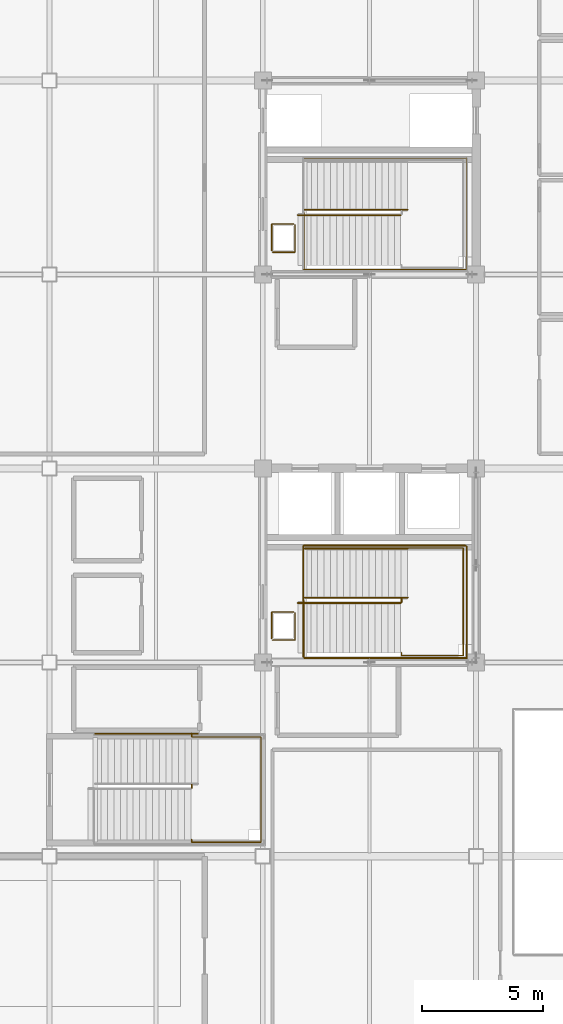
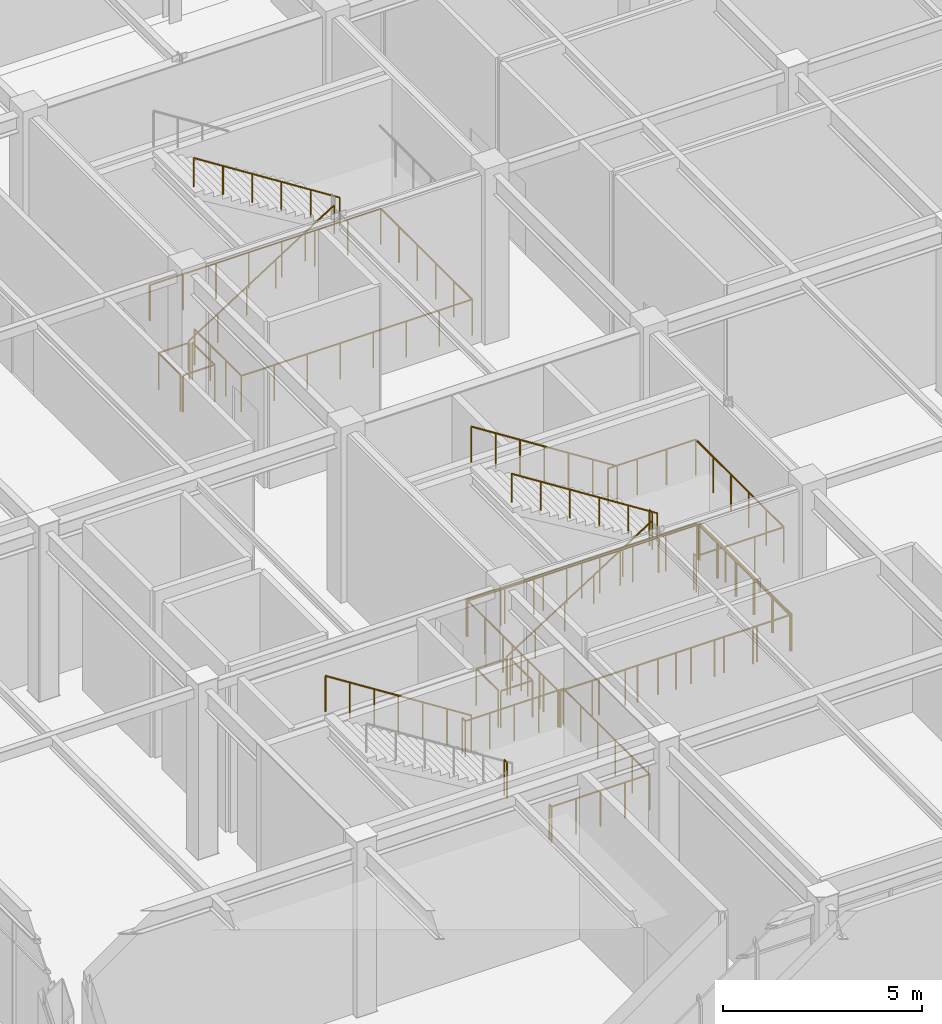
# One storey, part 173 of 184: 18 railings.
"""IFC4 building model written with IfcOpenShell, lengths in metres."""

from ifc_helpers import new_model, si_unit, direction, frame, origin, origin_2d, place, context, subcontext, project, spatial, circle, extrude, material, type_object, element, save


model = new_model("IFC4")

# Units and contexts
model_context = context("Model", 3, precision=1e-05, world=origin(), true_north=direction((0.0, 1.0)))
body_context = subcontext(model_context, "Body", "Model", "MODEL_VIEW")
ifc_project = project(units=[si_unit("LENGTHUNIT", "METRE"), si_unit("AREAUNIT", "SQUARE_METRE"), si_unit("VOLUMEUNIT", "CUBIC_METRE"), si_unit("PLANEANGLEUNIT", "RADIAN"), si_unit("MASSUNIT", "GRAM", prefix="KILO")], contexts=[model_context])

# Site, building, storey
site_placement = place(None, origin())
site = spatial("IfcSite", under=ifc_project, at=site_placement, CompositionType="ELEMENT")
building_placement = place(site_placement, origin())
building = spatial("IfcBuilding", under=site, at=building_placement, Name="Zhaolan Boulevard Law Courts", CompositionType="ELEMENT")
storey_placement = place(building_placement, frame((0.0, 0.0, 5.39990234375)))
storey = spatial("IfcBuildingStorey", under=building, at=storey_placement, Name="L01", CompositionType="ELEMENT", Elevation=5.39990234375)

# Railings
ifc_material_1 = material(Name="Powder-coated steel and tempered laminated glass", Category="steel")
railing_type_1 = type_object("IfcRailingType", Name="INTERIOR GUARDRAIL 1150", PredefinedType="GUARDRAIL", material=ifc_material_1)
railing_1_placement = place(storey_placement, frame((19.31005859375, 46.169921875, 0.0)))
element("IfcRailing", 1, at=railing_1_placement, inside=storey, type_object=railing_type_1, Name="Atrium Gallery Guardrail VG-1-V5-6A", PredefinedType="GUARDRAIL", context=body_context, shape_type="SweptSolid", body=[
    extrude(circle(Radius=0.02490234375, at=origin_2d()), frame((0.0, 0.0, 1.125), z_axis=(1.0, 0.0, 0.0), x_axis=(0.0, 1.0, 0.0)), (0.0, 0.0, 1.0), 6.719970703125),
    extrude(circle(Radius=0.02490234375, at=origin_2d()), frame((6.719970703125, 0.0, 1.125), z_axis=(0.0, 1.0, 0.0), x_axis=(-1.0, 0.0, 0.0)), (0.0, 0.0, 1.0), 4.6201171875),
    extrude(circle(Radius=0.02099609375, at=origin_2d()), origin(), (0.0, 0.0, 1.0), 1.099853515625),
    extrude(circle(Radius=0.02099609375, at=origin_2d()), frame((1.1201171875, 0.0, 0.0)), (0.0, 0.0, 1.0), 1.099853515625),
    extrude(circle(Radius=0.02099609375, at=origin_2d()), frame((2.239990234375, 0.0, 0.0)), (0.0, 0.0, 1.0), 1.099853515625),
    extrude(circle(Radius=0.02099609375, at=origin_2d()), frame((3.35986328125, 0.0, 0.0)), (0.0, 0.0, 1.0), 1.099853515625),
    extrude(circle(Radius=0.02099609375, at=origin_2d()), frame((4.47998046875, 0.0, 0.0)), (0.0, 0.0, 1.0), 1.099853515625),
    extrude(circle(Radius=0.02099609375, at=origin_2d()), frame((5.60009765625, 0.0, 0.0)), (0.0, 0.0, 1.0), 1.099853515625),
    extrude(circle(Radius=0.02099609375, at=origin_2d()), frame((6.719970703125, 0.0, 0.0)), (0.0, 0.0, 1.0), 1.099853515625),
    extrude(circle(Radius=0.02099609375, at=origin_2d()), frame((6.719970703125, 0.924072265625, 0.0)), (0.0, 0.0, 1.0), 1.099853515625),
    extrude(circle(Radius=0.02099609375, at=origin_2d()), frame((6.719970703125, 1.84814453125, 0.0)), (0.0, 0.0, 1.0), 1.099853515625),
    extrude(circle(Radius=0.02099609375, at=origin_2d()), frame((6.719970703125, 2.77197265625, 0.0)), (0.0, 0.0, 1.0), 1.099853515625),
    extrude(circle(Radius=0.02099609375, at=origin_2d()), frame((6.719970703125, 3.696044921875, 0.0)), (0.0, 0.0, 1.0), 1.099853515625),
    extrude(circle(Radius=0.02099609375, at=origin_2d()), frame((6.719970703125, 4.6201171875, 0.0)), (0.0, 0.0, 1.0), 1.099853515625),
])
railing_2_placement = place(storey_placement, frame((25.969970703125, 50.830078125, 0.0)))
element("IfcRailing", 2, at=railing_2_placement, inside=storey, type_object=railing_type_1, Name="Atrium Gallery Guardrail VG-1-V5-6B", PredefinedType="GUARDRAIL", context=body_context, shape_type="SweptSolid", body=[
    extrude(circle(Radius=0.02490234375, at=origin_2d()), frame((0.0, 0.0, 1.125), z_axis=(-1.0, 0.0, 0.0), x_axis=(0.0, -1.0, 0.0)), (0.0, 0.0, 1.0), 6.699951171875),
    extrude(circle(Radius=0.02490234375, at=origin_2d()), frame((-6.699951171875, 0.0, 1.125), z_axis=(0.0, -1.0, 0.0), x_axis=(1.0, 0.0, 0.0)), (0.0, 0.0, 1.0), 4.60009765625),
    extrude(circle(Radius=0.02099609375, at=origin_2d()), origin(), (0.0, 0.0, 1.0), 1.099853515625),
    extrude(circle(Radius=0.02099609375, at=origin_2d()), frame((-1.11669921875, 0.0, 0.0)), (0.0, 0.0, 1.0), 1.099853515625),
    extrude(circle(Radius=0.02099609375, at=origin_2d()), frame((-2.2333984375, 0.0, 0.0)), (0.0, 0.0, 1.0), 1.099853515625),
    extrude(circle(Radius=0.02099609375, at=origin_2d()), frame((-3.35009765625, 0.0, 0.0)), (0.0, 0.0, 1.0), 1.099853515625),
    extrude(circle(Radius=0.02099609375, at=origin_2d()), frame((-4.466552734375, 0.0, 0.0)), (0.0, 0.0, 1.0), 1.099853515625),
    extrude(circle(Radius=0.02099609375, at=origin_2d()), frame((-5.583251953125, 0.0, 0.0)), (0.0, 0.0, 1.0), 1.099853515625),
    extrude(circle(Radius=0.02099609375, at=origin_2d()), frame((-6.699951171875, 0.0, 0.0)), (0.0, 0.0, 1.0), 1.099853515625),
    extrude(circle(Radius=0.02099609375, at=origin_2d()), frame((-6.699951171875, -0.919921875, 0.0)), (0.0, 0.0, 1.0), 1.099853515625),
    extrude(circle(Radius=0.02099609375, at=origin_2d()), frame((-6.699951171875, -1.840087890625, 0.0)), (0.0, 0.0, 1.0), 1.099853515625),
    extrude(circle(Radius=0.02099609375, at=origin_2d()), frame((-6.699951171875, -2.760009765625, 0.0)), (0.0, 0.0, 1.0), 1.099853515625),
    extrude(circle(Radius=0.02099609375, at=origin_2d()), frame((-6.699951171875, -3.68017578125, 0.0)), (0.0, 0.0, 1.0), 1.099853515625),
    extrude(circle(Radius=0.02099609375, at=origin_2d()), frame((-6.699951171875, -4.60009765625, 0.0)), (0.0, 0.0, 1.0), 1.099853515625),
])
railing_3_placement = place(storey_placement, frame((18.010009765625, 46.919921875, 0.0)))
element("IfcRailing", 3, at=railing_3_placement, inside=storey, type_object=railing_type_1, Name="Atrium Gallery Guardrail VG-1-V5-9A", PredefinedType="GUARDRAIL", context=body_context, shape_type="SweptSolid", body=[
    extrude(circle(Radius=0.02490234375, at=origin_2d()), frame((0.0, 0.0, 1.125), z_axis=(1.0, 0.0, 0.0), x_axis=(0.0, 1.0, 0.0)), (0.0, 0.0, 1.0), 0.919921875),
    extrude(circle(Radius=0.02490234375, at=origin_2d()), frame((0.919921875, 0.0, 1.125), z_axis=(0.0, 1.0, 0.0), x_axis=(-1.0, 0.0, 0.0)), (0.0, 0.0, 1.0), 1.1201171875),
    extrude(circle(Radius=0.02099609375, at=origin_2d()), origin(), (0.0, 0.0, 1.0), 1.099853515625),
    extrude(circle(Radius=0.02099609375, at=origin_2d()), frame((0.919921875, 0.0, 0.0)), (0.0, 0.0, 1.0), 1.099853515625),
    extrude(circle(Radius=0.02099609375, at=origin_2d()), frame((0.919921875, 1.1201171875, 0.0)), (0.0, 0.0, 1.0), 1.099853515625),
])
railing_4_placement = place(storey_placement, frame((18.8701171875, 48.080078125, 0.0)))
element("IfcRailing", 4, at=railing_4_placement, inside=storey, type_object=railing_type_1, Name="Atrium Gallery Guardrail VG-1-V5-9B", PredefinedType="GUARDRAIL", context=body_context, shape_type="SweptSolid", body=[
    extrude(circle(Radius=0.02490234375, at=origin_2d()), frame((0.0, 0.0, 1.125), z_axis=(-1.0, 0.0, 0.0), x_axis=(0.0, -1.0, 0.0)), (0.0, 0.0, 1.0), 0.900146484375),
    extrude(circle(Radius=0.02490234375, at=origin_2d()), frame((-0.900146484375, 0.0, 1.125), z_axis=(0.0, -1.0, 0.0), x_axis=(1.0, 0.0, 0.0)), (0.0, 0.0, 1.0), 1.10009765625),
    extrude(circle(Radius=0.02099609375, at=origin_2d()), origin(), (0.0, 0.0, 1.0), 1.099853515625),
    extrude(circle(Radius=0.02099609375, at=origin_2d()), frame((-0.900146484375, 0.0, 0.0)), (0.0, 0.0, 1.0), 1.099853515625),
    extrude(circle(Radius=0.02099609375, at=origin_2d()), frame((-0.900146484375, -1.10009765625, 0.0)), (0.0, 0.0, 1.0), 1.099853515625),
])
railing_5_placement = place(storey_placement, frame((18.010009765625, 62.919921875, 0.0)))
element("IfcRailing", 5, at=railing_5_placement, inside=storey, type_object=railing_type_1, Name="Atrium Gallery Guardrail VG-1-V5-10A", PredefinedType="GUARDRAIL", context=body_context, shape_type="SweptSolid", body=[
    extrude(circle(Radius=0.02490234375, at=origin_2d()), frame((0.0, 0.0, 1.125), z_axis=(1.0, 0.0, 0.0), x_axis=(0.0, 1.0, 0.0)), (0.0, 0.0, 1.0), 0.919921875),
    extrude(circle(Radius=0.02490234375, at=origin_2d()), frame((0.919921875, 0.0, 1.125), z_axis=(0.0, 1.0, 0.0), x_axis=(-1.0, 0.0, 0.0)), (0.0, 0.0, 1.0), 1.1201171875),
    extrude(circle(Radius=0.02099609375, at=origin_2d()), origin(), (0.0, 0.0, 1.0), 1.099853515625),
    extrude(circle(Radius=0.02099609375, at=origin_2d()), frame((0.919921875, 0.0, 0.0)), (0.0, 0.0, 1.0), 1.099853515625),
    extrude(circle(Radius=0.02099609375, at=origin_2d()), frame((0.919921875, 1.1201171875, 0.0)), (0.0, 0.0, 1.0), 1.099853515625),
])
railing_6_placement = place(storey_placement, frame((18.8701171875, 64.080078125, 0.0)))
element("IfcRailing", 6, at=railing_6_placement, inside=storey, type_object=railing_type_1, Name="Atrium Gallery Guardrail VG-1-V5-10B", PredefinedType="GUARDRAIL", context=body_context, shape_type="SweptSolid", body=[
    extrude(circle(Radius=0.02490234375, at=origin_2d()), frame((0.0, 0.0, 1.125), z_axis=(-1.0, 0.0, 0.0), x_axis=(0.0, -1.0, 0.0)), (0.0, 0.0, 1.0), 0.900146484375),
    extrude(circle(Radius=0.02490234375, at=origin_2d()), frame((-0.900146484375, 0.0, 1.125), z_axis=(0.0, -1.0, 0.0), x_axis=(1.0, 0.0, 0.0)), (0.0, 0.0, 1.0), 1.10009765625),
    extrude(circle(Radius=0.02099609375, at=origin_2d()), origin(), (0.0, 0.0, 1.0), 1.099853515625),
    extrude(circle(Radius=0.02099609375, at=origin_2d()), frame((-0.900146484375, 0.0, 0.0)), (0.0, 0.0, 1.0), 1.099853515625),
    extrude(circle(Radius=0.02099609375, at=origin_2d()), frame((-0.900146484375, -1.10009765625, 0.0)), (0.0, 0.0, 1.0), 1.099853515625),
])
ifc_material_2 = material(Name="Brushed stainless steel tubular handrail", Category="steel")
railing_type_2 = type_object("IfcRailingType", Name="STAIR HANDRAIL 900", PredefinedType="HANDRAIL", material=ifc_material_2)
railing_7_placement = place(storey_placement, frame((19.050048828125, 48.449951171875, 0.0)))
element("IfcRailing", 7, at=railing_7_placement, inside=storey, type_object=railing_type_2, Name="Stair Handrail HR-ST01-L01-1", PredefinedType="HANDRAIL", context=body_context, shape_type="SweptSolid", body=[
    extrude(circle(Radius=0.0224609375, at=origin_2d()), frame((0.0, 0.0, 0.87744140625), z_axis=(0.843479452326, 0.0, 0.53716144082), x_axis=(0.0, 1.0, 0.0)), (0.0, 0.0, 1.0), 5.02685546875),
    extrude(circle(Radius=0.01904296875, at=origin_2d()), origin(), (0.0, 0.0, 1.0), 0.85498046875),
    extrude(circle(Radius=0.01904296875, at=origin_2d()), frame((0.847900390625, 0.0, 0.5400390625)), (0.0, 0.0, 1.0), 0.85498046875),
    extrude(circle(Radius=0.01904296875, at=origin_2d()), frame((1.696044921875, 0.0, 1.080078125)), (0.0, 0.0, 1.0), 0.85498046875),
    extrude(circle(Radius=0.01904296875, at=origin_2d()), frame((2.5439453125, 0.0, 1.6201171875)), (0.0, 0.0, 1.0), 0.85498046875),
    extrude(circle(Radius=0.01904296875, at=origin_2d()), frame((3.39208984375, 0.0, 2.16015625)), (0.0, 0.0, 1.0), 0.85498046875),
    extrude(circle(Radius=0.01904296875, at=origin_2d()), frame((4.239990234375, 0.0, 2.7001953125)), (0.0, 0.0, 1.0), 0.85498046875),
])
railing_8_placement = place(storey_placement, frame((23.574951171875, 48.669921875, 2.7001953125)))
element("IfcRailing", 8, at=railing_8_placement, inside=storey, type_object=railing_type_2, Name="Stair Handrail HR-ST01-L01-2", PredefinedType="HANDRAIL", context=body_context, shape_type="SweptSolid", body=[
    extrude(circle(Radius=0.0224609375, at=origin_2d()), frame((0.0, 0.0, 0.87744140625), z_axis=(-0.843501457581, 0.0, 0.537126885437), x_axis=(0.0, -1.0, 0.0)), (0.0, 0.0, 1.0), 5.026611328125),
    extrude(circle(Radius=0.01904296875, at=origin_2d()), origin(), (0.0, 0.0, 1.0), 0.85498046875),
    extrude(circle(Radius=0.01904296875, at=origin_2d()), frame((-0.847900390625, 0.0, 0.5400390625)), (0.0, 0.0, 1.0), 0.85498046875),
    extrude(circle(Radius=0.01904296875, at=origin_2d()), frame((-1.696044921875, 0.0, 1.080078125)), (0.0, 0.0, 1.0), 0.85498046875),
    extrude(circle(Radius=0.01904296875, at=origin_2d()), frame((-2.5439453125, 0.0, 1.619873046875)), (0.0, 0.0, 1.0), 0.85498046875),
    extrude(circle(Radius=0.01904296875, at=origin_2d()), frame((-3.39208984375, 0.0, 2.159912109375)), (0.0, 0.0, 1.0), 0.85498046875),
    extrude(circle(Radius=0.01904296875, at=origin_2d()), frame((-4.239990234375, 0.0, 2.699951171875)), (0.0, 0.0, 1.0), 0.85498046875),
])
railing_9_placement = place(storey_placement, frame((19.050048828125, 64.449951171875, 0.0)))
element("IfcRailing", 9, at=railing_9_placement, inside=storey, type_object=railing_type_2, Name="Stair Handrail HR-ST02-L01-1", PredefinedType="HANDRAIL", context=body_context, shape_type="SweptSolid", body=[
    extrude(circle(Radius=0.0224609375, at=origin_2d()), frame((0.0, 0.0, 0.87744140625), z_axis=(0.843479452326, 0.0, 0.53716144082), x_axis=(0.0, 1.0, 0.0)), (0.0, 0.0, 1.0), 5.02685546875),
    extrude(circle(Radius=0.01904296875, at=origin_2d()), origin(), (0.0, 0.0, 1.0), 0.85498046875),
    extrude(circle(Radius=0.01904296875, at=origin_2d()), frame((0.847900390625, 0.0, 0.5400390625)), (0.0, 0.0, 1.0), 0.85498046875),
    extrude(circle(Radius=0.01904296875, at=origin_2d()), frame((1.696044921875, 0.0, 1.080078125)), (0.0, 0.0, 1.0), 0.85498046875),
    extrude(circle(Radius=0.01904296875, at=origin_2d()), frame((2.5439453125, 0.0, 1.6201171875)), (0.0, 0.0, 1.0), 0.85498046875),
    extrude(circle(Radius=0.01904296875, at=origin_2d()), frame((3.39208984375, 0.0, 2.16015625)), (0.0, 0.0, 1.0), 0.85498046875),
    extrude(circle(Radius=0.01904296875, at=origin_2d()), frame((4.239990234375, 0.0, 2.7001953125)), (0.0, 0.0, 1.0), 0.85498046875),
])
railing_10_placement = place(storey_placement, frame((23.574951171875, 64.669921875, 2.7001953125)))
element("IfcRailing", 10, at=railing_10_placement, inside=storey, type_object=railing_type_2, Name="Stair Handrail HR-ST02-L01-2", PredefinedType="HANDRAIL", context=body_context, shape_type="SweptSolid", body=[
    extrude(circle(Radius=0.0224609375, at=origin_2d()), frame((0.0, 0.0, 0.87744140625), z_axis=(-0.843501457581, 0.0, 0.537126885437), x_axis=(0.0, -1.0, 0.0)), (0.0, 0.0, 1.0), 5.026611328125),
    extrude(circle(Radius=0.01904296875, at=origin_2d()), origin(), (0.0, 0.0, 1.0), 0.85498046875),
    extrude(circle(Radius=0.01904296875, at=origin_2d()), frame((-0.847900390625, 0.0, 0.5400390625)), (0.0, 0.0, 1.0), 0.85498046875),
    extrude(circle(Radius=0.01904296875, at=origin_2d()), frame((-1.696044921875, 0.0, 1.080078125)), (0.0, 0.0, 1.0), 0.85498046875),
    extrude(circle(Radius=0.01904296875, at=origin_2d()), frame((-2.5439453125, 0.0, 1.619873046875)), (0.0, 0.0, 1.0), 0.85498046875),
    extrude(circle(Radius=0.01904296875, at=origin_2d()), frame((-3.39208984375, 0.0, 2.159912109375)), (0.0, 0.0, 1.0), 0.85498046875),
    extrude(circle(Radius=0.01904296875, at=origin_2d()), frame((-4.239990234375, 0.0, 2.699951171875)), (0.0, 0.0, 1.0), 0.85498046875),
])
ifc_material_3 = material(Name="Powder-coated steel baluster guardrail", Category="steel")
railing_type_3 = type_object("IfcRailingType", Name="STAIR WELL GUARDRAIL 1120", PredefinedType="GUARDRAIL", material=ifc_material_3)
railing_11_placement = place(storey_placement, frame((19.2900390625, 48.56005859375, 0.0)))
element("IfcRailing", 11, at=railing_11_placement, inside=storey, type_object=railing_type_3, Name="Stair-Well Floor Guardrail WG-ST01-L00", PredefinedType="GUARDRAIL", context=body_context, shape_type="SweptSolid", body=[
    extrude(circle(Radius=0.02392578125, at=origin_2d()), frame((0.0, 0.0, 1.09619140625), z_axis=(0.0, -1.0, 0.0), x_axis=(1.0, 0.0, 0.0)), (0.0, 0.0, 1.0), 2.360107421875),
    extrude(circle(Radius=0.02392578125, at=origin_2d()), frame((0.0, -2.360107421875, 1.09619140625), z_axis=(1.0, 0.0, 0.0), x_axis=(0.0, 1.0, 0.0)), (0.0, 0.0, 1.0), 6.7099609375),
    extrude(circle(Radius=0.02392578125, at=origin_2d()), frame((6.7099609375, -2.360107421875, 1.09619140625), z_axis=(0.0, 1.0, 0.0), x_axis=(-1.0, 0.0, 0.0)), (0.0, 0.0, 1.0), 4.60009765625),
    extrude(circle(Radius=0.02392578125, at=origin_2d()), frame((6.7099609375, 2.239990234375, 1.09619140625), z_axis=(-1.0, 0.0, 0.0), x_axis=(0.0, -1.0, 0.0)), (0.0, 0.0, 1.0), 6.7099609375),
    extrude(circle(Radius=0.02392578125, at=origin_2d()), frame((0.0, 2.239990234375, 1.09619140625), z_axis=(0.0, 1.0, 0.0), x_axis=(-1.0, 0.0, 0.0)), (0.0, 0.0, 1.0), 0.02001953125),
    extrude(circle(Radius=0.02099609375, at=origin_2d()), origin(), (0.0, 0.0, 1.0), 1.072021484375),
    extrude(circle(Radius=0.02099609375, at=origin_2d()), frame((0.0, -0.78662109375, 0.0)), (0.0, 0.0, 1.0), 1.072021484375),
    extrude(circle(Radius=0.02099609375, at=origin_2d()), frame((0.0, -1.573486328125, 0.0)), (0.0, 0.0, 1.0), 1.072021484375),
    extrude(circle(Radius=0.02099609375, at=origin_2d()), frame((0.0, -2.360107421875, 0.0)), (0.0, 0.0, 1.0), 1.072021484375),
    extrude(circle(Radius=0.02099609375, at=origin_2d()), frame((0.95849609375, -2.360107421875, 0.0)), (0.0, 0.0, 1.0), 1.072021484375),
    extrude(circle(Radius=0.02099609375, at=origin_2d()), frame((1.917236328125, -2.360107421875, 0.0)), (0.0, 0.0, 1.0), 1.072021484375),
    extrude(circle(Radius=0.02099609375, at=origin_2d()), frame((2.875732421875, -2.360107421875, 0.0)), (0.0, 0.0, 1.0), 1.072021484375),
    extrude(circle(Radius=0.02099609375, at=origin_2d()), frame((3.834228515625, -2.360107421875, 0.0)), (0.0, 0.0, 1.0), 1.072021484375),
    extrude(circle(Radius=0.02099609375, at=origin_2d()), frame((4.792724609375, -2.360107421875, 0.0)), (0.0, 0.0, 1.0), 1.072021484375),
    extrude(circle(Radius=0.02099609375, at=origin_2d()), frame((5.75146484375, -2.360107421875, 0.0)), (0.0, 0.0, 1.0), 1.072021484375),
    extrude(circle(Radius=0.02099609375, at=origin_2d()), frame((6.7099609375, -2.360107421875, 0.0)), (0.0, 0.0, 1.0), 1.072021484375),
    extrude(circle(Radius=0.02099609375, at=origin_2d()), frame((6.7099609375, -1.440185546875, 0.0)), (0.0, 0.0, 1.0), 1.072021484375),
    extrude(circle(Radius=0.02099609375, at=origin_2d()), frame((6.7099609375, -0.52001953125, 0.0)), (0.0, 0.0, 1.0), 1.072021484375),
    extrude(circle(Radius=0.02099609375, at=origin_2d()), frame((6.7099609375, 0.39990234375, 0.0)), (0.0, 0.0, 1.0), 1.072021484375),
    extrude(circle(Radius=0.02099609375, at=origin_2d()), frame((6.7099609375, 1.320068359375, 0.0)), (0.0, 0.0, 1.0), 1.072021484375),
    extrude(circle(Radius=0.02099609375, at=origin_2d()), frame((6.7099609375, 2.239990234375, 0.0)), (0.0, 0.0, 1.0), 1.072021484375),
    extrude(circle(Radius=0.02099609375, at=origin_2d()), frame((5.75146484375, 2.239990234375, 0.0)), (0.0, 0.0, 1.0), 1.072021484375),
    extrude(circle(Radius=0.02099609375, at=origin_2d()), frame((4.792724609375, 2.239990234375, 0.0)), (0.0, 0.0, 1.0), 1.072021484375),
    extrude(circle(Radius=0.02099609375, at=origin_2d()), frame((3.834228515625, 2.239990234375, 0.0)), (0.0, 0.0, 1.0), 1.072021484375),
    extrude(circle(Radius=0.02099609375, at=origin_2d()), frame((2.875732421875, 2.239990234375, 0.0)), (0.0, 0.0, 1.0), 1.072021484375),
    extrude(circle(Radius=0.02099609375, at=origin_2d()), frame((1.917236328125, 2.239990234375, 0.0)), (0.0, 0.0, 1.0), 1.072021484375),
    extrude(circle(Radius=0.02099609375, at=origin_2d()), frame((0.95849609375, 2.239990234375, 0.0)), (0.0, 0.0, 1.0), 1.072021484375),
    extrude(circle(Radius=0.02099609375, at=origin_2d()), frame((0.0, 2.239990234375, 0.0)), (0.0, 0.0, 1.0), 1.072021484375),
    extrude(circle(Radius=0.02099609375, at=origin_2d()), frame((0.0, 2.260009765625, 0.0)), (0.0, 0.0, 1.0), 1.072021484375),
])
railing_12_placement = place(storey_placement, frame((23.320068359375, 46.39990234375, 2.7001953125)))
element("IfcRailing", 12, at=railing_12_placement, inside=storey, type_object=railing_type_3, Name="Half-Landing Guardrail SG-ST01-L01-M", PredefinedType="GUARDRAIL", context=body_context, shape_type="SweptSolid", body=[
    extrude(circle(Radius=0.02392578125, at=origin_2d()), frame((0.0, 0.0, 1.09619140625), z_axis=(0.0, -1.0, 0.0), x_axis=(1.0, 0.0, 0.0)), (0.0, 0.0, 1.0), 0.119873046875),
    extrude(circle(Radius=0.02392578125, at=origin_2d()), frame((0.0, -0.119873046875, 1.09619140625), z_axis=(1.0, 0.0, 0.0), x_axis=(0.0, 1.0, 0.0)), (0.0, 0.0, 1.0), 2.550048828125),
    extrude(circle(Radius=0.02392578125, at=origin_2d()), frame((2.550048828125, -0.119873046875, 1.09619140625), z_axis=(0.0, 1.0, 0.0), x_axis=(-1.0, 0.0, 0.0)), (0.0, 0.0, 1.0), 4.43994140625),
    extrude(circle(Radius=0.02392578125, at=origin_2d()), frame((2.550048828125, 4.320068359375, 1.09619140625), z_axis=(-1.0, 0.0, 0.0), x_axis=(0.0, -1.0, 0.0)), (0.0, 0.0, 1.0), 2.550048828125),
    extrude(circle(Radius=0.02099609375, at=origin_2d()), origin(), (0.0, 0.0, 1.0), 1.072021484375),
    extrude(circle(Radius=0.02099609375, at=origin_2d()), frame((0.0, -0.119873046875, 0.0)), (0.0, 0.0, 1.0), 1.072021484375),
    extrude(circle(Radius=0.02099609375, at=origin_2d()), frame((0.85009765625, -0.119873046875, 0.0)), (0.0, 0.0, 1.0), 1.072021484375),
    extrude(circle(Radius=0.02099609375, at=origin_2d()), frame((1.699951171875, -0.119873046875, 0.0)), (0.0, 0.0, 1.0), 1.072021484375),
    extrude(circle(Radius=0.02099609375, at=origin_2d()), frame((2.550048828125, -0.119873046875, 0.0)), (0.0, 0.0, 1.0), 1.072021484375),
    extrude(circle(Radius=0.02099609375, at=origin_2d()), frame((2.550048828125, 0.76806640625, 0.0)), (0.0, 0.0, 1.0), 1.072021484375),
    extrude(circle(Radius=0.02099609375, at=origin_2d()), frame((2.550048828125, 1.656005859375, 0.0)), (0.0, 0.0, 1.0), 1.072021484375),
    extrude(circle(Radius=0.02099609375, at=origin_2d()), frame((2.550048828125, 2.544189453125, 0.0)), (0.0, 0.0, 1.0), 1.072021484375),
    extrude(circle(Radius=0.02099609375, at=origin_2d()), frame((2.550048828125, 3.43212890625, 0.0)), (0.0, 0.0, 1.0), 1.072021484375),
    extrude(circle(Radius=0.02099609375, at=origin_2d()), frame((2.550048828125, 4.320068359375, 0.0)), (0.0, 0.0, 1.0), 1.072021484375),
    extrude(circle(Radius=0.02099609375, at=origin_2d()), frame((1.699951171875, 4.320068359375, 0.0)), (0.0, 0.0, 1.0), 1.072021484375),
    extrude(circle(Radius=0.02099609375, at=origin_2d()), frame((0.85009765625, 4.320068359375, 0.0)), (0.0, 0.0, 1.0), 1.072021484375),
    extrude(circle(Radius=0.02099609375, at=origin_2d()), frame((0.0, 4.320068359375, 0.0)), (0.0, 0.0, 1.0), 1.072021484375),
])
railing_13_placement = place(storey_placement, frame((23.320068359375, 48.489990234375, 2.7001953125)))
element("IfcRailing", 13, at=railing_13_placement, inside=storey, type_object=railing_type_3, Name="Half-Landing Well Guardrail SG-ST01-L01-W", PredefinedType="GUARDRAIL", context=body_context, shape_type="SweptSolid", body=[
    extrude(circle(Radius=0.02392578125, at=origin_2d()), frame((0.0, 0.0, 1.09619140625), z_axis=(0.0, 1.0, 0.0), x_axis=(-1.0, 0.0, 0.0)), (0.0, 0.0, 1.0), 0.139892578125),
    extrude(circle(Radius=0.02099609375, at=origin_2d()), origin(), (0.0, 0.0, 1.0), 1.072021484375),
    extrude(circle(Radius=0.02099609375, at=origin_2d()), frame((0.0, 0.139892578125, 0.0)), (0.0, 0.0, 1.0), 1.072021484375),
])
railing_14_placement = place(storey_placement, frame((23.574951171875, 50.699951171875, 2.7001953125)))
element("IfcRailing", 14, at=railing_14_placement, inside=storey, type_object=railing_type_3, Name="Flight Guardrail SG-ST01-L01-F2", PredefinedType="GUARDRAIL", context=body_context, shape_type="SweptSolid", body=[
    extrude(circle(Radius=0.02392578125, at=origin_2d()), frame((0.0, 0.0, 1.09619140625), z_axis=(-0.843501457581, 0.0, 0.537126885437), x_axis=(0.0, -1.0, 0.0)), (0.0, 0.0, 1.0), 5.026611328125),
    extrude(circle(Radius=0.02099609375, at=origin_2d()), origin(), (0.0, 0.0, 1.0), 1.072021484375),
    extrude(circle(Radius=0.02099609375, at=origin_2d()), frame((-0.70654296875, 0.0, 0.449951171875)), (0.0, 0.0, 1.0), 1.072021484375),
    extrude(circle(Radius=0.02099609375, at=origin_2d()), frame((-1.413330078125, 0.0, 0.89990234375)), (0.0, 0.0, 1.0), 1.072021484375),
    extrude(circle(Radius=0.02099609375, at=origin_2d()), frame((-2.1201171875, 0.0, 1.35009765625)), (0.0, 0.0, 1.0), 1.072021484375),
    extrude(circle(Radius=0.02099609375, at=origin_2d()), frame((-2.82666015625, 0.0, 1.800048828125)), (0.0, 0.0, 1.0), 1.072021484375),
    extrude(circle(Radius=0.02099609375, at=origin_2d()), frame((-3.533203125, 0.0, 2.25)), (0.0, 0.0, 1.0), 1.072021484375),
    extrude(circle(Radius=0.02099609375, at=origin_2d()), frame((-4.239990234375, 0.0, 2.699951171875)), (0.0, 0.0, 1.0), 1.072021484375),
])
railing_15_placement = place(storey_placement, frame((19.2900390625, 64.56005859375, 0.0)))
element("IfcRailing", 15, at=railing_15_placement, inside=storey, type_object=railing_type_3, Name="Stair-Well Floor Guardrail WG-ST02-L00", PredefinedType="GUARDRAIL", context=body_context, shape_type="SweptSolid", body=[
    extrude(circle(Radius=0.02392578125, at=origin_2d()), frame((0.0, 0.0, 1.09619140625), z_axis=(0.0, -1.0, 0.0), x_axis=(1.0, 0.0, 0.0)), (0.0, 0.0, 1.0), 2.360107421875),
    extrude(circle(Radius=0.02392578125, at=origin_2d()), frame((0.0, -2.360107421875, 1.09619140625), z_axis=(1.0, 0.0, 0.0), x_axis=(0.0, 1.0, 0.0)), (0.0, 0.0, 1.0), 6.7099609375),
    extrude(circle(Radius=0.02392578125, at=origin_2d()), frame((6.7099609375, -2.360107421875, 1.09619140625), z_axis=(0.0, 1.0, 0.0), x_axis=(-1.0, 0.0, 0.0)), (0.0, 0.0, 1.0), 4.60009765625),
    extrude(circle(Radius=0.02392578125, at=origin_2d()), frame((6.7099609375, 2.239990234375, 1.09619140625), z_axis=(-1.0, 0.0, 0.0), x_axis=(0.0, -1.0, 0.0)), (0.0, 0.0, 1.0), 6.7099609375),
    extrude(circle(Radius=0.02392578125, at=origin_2d()), frame((0.0, 2.239990234375, 1.09619140625), z_axis=(0.0, 1.0, 0.0), x_axis=(-1.0, 0.0, 0.0)), (0.0, 0.0, 1.0), 0.02001953125),
    extrude(circle(Radius=0.02099609375, at=origin_2d()), origin(), (0.0, 0.0, 1.0), 1.072021484375),
    extrude(circle(Radius=0.02099609375, at=origin_2d()), frame((0.0, -0.78662109375, 0.0)), (0.0, 0.0, 1.0), 1.072021484375),
    extrude(circle(Radius=0.02099609375, at=origin_2d()), frame((0.0, -1.573486328125, 0.0)), (0.0, 0.0, 1.0), 1.072021484375),
    extrude(circle(Radius=0.02099609375, at=origin_2d()), frame((0.0, -2.360107421875, 0.0)), (0.0, 0.0, 1.0), 1.072021484375),
    extrude(circle(Radius=0.02099609375, at=origin_2d()), frame((0.95849609375, -2.360107421875, 0.0)), (0.0, 0.0, 1.0), 1.072021484375),
    extrude(circle(Radius=0.02099609375, at=origin_2d()), frame((1.917236328125, -2.360107421875, 0.0)), (0.0, 0.0, 1.0), 1.072021484375),
    extrude(circle(Radius=0.02099609375, at=origin_2d()), frame((2.875732421875, -2.360107421875, 0.0)), (0.0, 0.0, 1.0), 1.072021484375),
    extrude(circle(Radius=0.02099609375, at=origin_2d()), frame((3.834228515625, -2.360107421875, 0.0)), (0.0, 0.0, 1.0), 1.072021484375),
    extrude(circle(Radius=0.02099609375, at=origin_2d()), frame((4.792724609375, -2.360107421875, 0.0)), (0.0, 0.0, 1.0), 1.072021484375),
    extrude(circle(Radius=0.02099609375, at=origin_2d()), frame((5.75146484375, -2.360107421875, 0.0)), (0.0, 0.0, 1.0), 1.072021484375),
    extrude(circle(Radius=0.02099609375, at=origin_2d()), frame((6.7099609375, -2.360107421875, 0.0)), (0.0, 0.0, 1.0), 1.072021484375),
    extrude(circle(Radius=0.02099609375, at=origin_2d()), frame((6.7099609375, -1.440185546875, 0.0)), (0.0, 0.0, 1.0), 1.072021484375),
    extrude(circle(Radius=0.02099609375, at=origin_2d()), frame((6.7099609375, -0.52001953125, 0.0)), (0.0, 0.0, 1.0), 1.072021484375),
    extrude(circle(Radius=0.02099609375, at=origin_2d()), frame((6.7099609375, 0.39990234375, 0.0)), (0.0, 0.0, 1.0), 1.072021484375),
    extrude(circle(Radius=0.02099609375, at=origin_2d()), frame((6.7099609375, 1.320068359375, 0.0)), (0.0, 0.0, 1.0), 1.072021484375),
    extrude(circle(Radius=0.02099609375, at=origin_2d()), frame((6.7099609375, 2.239990234375, 0.0)), (0.0, 0.0, 1.0), 1.072021484375),
    extrude(circle(Radius=0.02099609375, at=origin_2d()), frame((5.75146484375, 2.239990234375, 0.0)), (0.0, 0.0, 1.0), 1.072021484375),
    extrude(circle(Radius=0.02099609375, at=origin_2d()), frame((4.792724609375, 2.239990234375, 0.0)), (0.0, 0.0, 1.0), 1.072021484375),
    extrude(circle(Radius=0.02099609375, at=origin_2d()), frame((3.834228515625, 2.239990234375, 0.0)), (0.0, 0.0, 1.0), 1.072021484375),
    extrude(circle(Radius=0.02099609375, at=origin_2d()), frame((2.875732421875, 2.239990234375, 0.0)), (0.0, 0.0, 1.0), 1.072021484375),
    extrude(circle(Radius=0.02099609375, at=origin_2d()), frame((1.917236328125, 2.239990234375, 0.0)), (0.0, 0.0, 1.0), 1.072021484375),
    extrude(circle(Radius=0.02099609375, at=origin_2d()), frame((0.95849609375, 2.239990234375, 0.0)), (0.0, 0.0, 1.0), 1.072021484375),
    extrude(circle(Radius=0.02099609375, at=origin_2d()), frame((0.0, 2.239990234375, 0.0)), (0.0, 0.0, 1.0), 1.072021484375),
    extrude(circle(Radius=0.02099609375, at=origin_2d()), frame((0.0, 2.260009765625, 0.0)), (0.0, 0.0, 1.0), 1.072021484375),
])
railing_16_placement = place(storey_placement, frame((14.669921875, 38.699951171875, 2.7001953125)))
element("IfcRailing", 16, at=railing_16_placement, inside=storey, type_object=railing_type_3, Name="Half-Landing Guardrail SG-ST03-L01-M", PredefinedType="GUARDRAIL", context=body_context, shape_type="SweptSolid", body=[
    extrude(circle(Radius=0.02392578125, at=origin_2d()), frame((0.0, 0.0, 1.09619140625), z_axis=(0.0, -1.0, 0.0), x_axis=(1.0, 0.0, 0.0)), (0.0, 0.0, 1.0), 0.119873046875),
    extrude(circle(Radius=0.02392578125, at=origin_2d()), frame((0.0, -0.119873046875, 1.09619140625), z_axis=(1.0, 0.0, 0.0), x_axis=(0.0, 1.0, 0.0)), (0.0, 0.0, 1.0), 2.85009765625),
    extrude(circle(Radius=0.02392578125, at=origin_2d()), frame((2.85009765625, -0.119873046875, 1.09619140625), z_axis=(0.0, 1.0, 0.0), x_axis=(-1.0, 0.0, 0.0)), (0.0, 0.0, 1.0), 4.33984375),
    extrude(circle(Radius=0.02392578125, at=origin_2d()), frame((2.85009765625, 4.219970703125, 1.09619140625), z_axis=(-1.0, 0.0, 0.0), x_axis=(0.0, -1.0, 0.0)), (0.0, 0.0, 1.0), 2.85009765625),
    extrude(circle(Radius=0.02392578125, at=origin_2d()), frame((0.0, 4.219970703125, 1.09619140625), z_axis=(0.0, 1.0, 0.0), x_axis=(-1.0, 0.0, 0.0)), (0.0, 0.0, 1.0), 0.16015625),
    extrude(circle(Radius=0.02099609375, at=origin_2d()), origin(), (0.0, 0.0, 1.0), 1.072021484375),
    extrude(circle(Radius=0.02099609375, at=origin_2d()), frame((0.0, -0.119873046875, 0.0)), (0.0, 0.0, 1.0), 1.072021484375),
    extrude(circle(Radius=0.02099609375, at=origin_2d()), frame((0.71240234375, -0.119873046875, 0.0)), (0.0, 0.0, 1.0), 1.072021484375),
    extrude(circle(Radius=0.02099609375, at=origin_2d()), frame((1.425048828125, -0.119873046875, 0.0)), (0.0, 0.0, 1.0), 1.072021484375),
    extrude(circle(Radius=0.02099609375, at=origin_2d()), frame((2.1376953125, -0.119873046875, 0.0)), (0.0, 0.0, 1.0), 1.072021484375),
    extrude(circle(Radius=0.02099609375, at=origin_2d()), frame((2.85009765625, -0.119873046875, 0.0)), (0.0, 0.0, 1.0), 1.072021484375),
    extrude(circle(Radius=0.02099609375, at=origin_2d()), frame((2.85009765625, 0.748046875, 0.0)), (0.0, 0.0, 1.0), 1.072021484375),
    extrude(circle(Radius=0.02099609375, at=origin_2d()), frame((2.85009765625, 1.615966796875, 0.0)), (0.0, 0.0, 1.0), 1.072021484375),
    extrude(circle(Radius=0.02099609375, at=origin_2d()), frame((2.85009765625, 2.484130859375, 0.0)), (0.0, 0.0, 1.0), 1.072021484375),
    extrude(circle(Radius=0.02099609375, at=origin_2d()), frame((2.85009765625, 3.35205078125, 0.0)), (0.0, 0.0, 1.0), 1.072021484375),
    extrude(circle(Radius=0.02099609375, at=origin_2d()), frame((2.85009765625, 4.219970703125, 0.0)), (0.0, 0.0, 1.0), 1.072021484375),
    extrude(circle(Radius=0.02099609375, at=origin_2d()), frame((2.1376953125, 4.219970703125, 0.0)), (0.0, 0.0, 1.0), 1.072021484375),
    extrude(circle(Radius=0.02099609375, at=origin_2d()), frame((1.425048828125, 4.219970703125, 0.0)), (0.0, 0.0, 1.0), 1.072021484375),
    extrude(circle(Radius=0.02099609375, at=origin_2d()), frame((0.71240234375, 4.219970703125, 0.0)), (0.0, 0.0, 1.0), 1.072021484375),
    extrude(circle(Radius=0.02099609375, at=origin_2d()), frame((0.0, 4.219970703125, 0.0)), (0.0, 0.0, 1.0), 1.072021484375),
    extrude(circle(Radius=0.02099609375, at=origin_2d()), frame((0.0, 4.380126953125, 0.0)), (0.0, 0.0, 1.0), 1.072021484375),
])
railing_17_placement = place(storey_placement, frame((14.669921875, 40.820068359375, 2.7001953125)))
element("IfcRailing", 17, at=railing_17_placement, inside=storey, type_object=railing_type_3, Name="Half-Landing Well Guardrail SG-ST03-L01-W", PredefinedType="GUARDRAIL", context=body_context, shape_type="SweptSolid", body=[
    extrude(circle(Radius=0.02392578125, at=origin_2d()), frame((0.0, 0.0, 1.09619140625), z_axis=(0.0, 1.0, 0.0), x_axis=(-1.0, 0.0, 0.0)), (0.0, 0.0, 1.0), 0.139892578125),
    extrude(circle(Radius=0.02099609375, at=origin_2d()), origin(), (0.0, 0.0, 1.0), 1.072021484375),
    extrude(circle(Radius=0.02099609375, at=origin_2d()), frame((0.0, 0.139892578125, 0.0)), (0.0, 0.0, 1.0), 1.072021484375),
])
railing_18_placement = place(storey_placement, frame((14.925048828125, 43.06005859375, 2.7001953125)))
element("IfcRailing", 18, at=railing_18_placement, inside=storey, type_object=railing_type_3, Name="Flight Guardrail SG-ST03-L01-F2", PredefinedType="GUARDRAIL", context=body_context, shape_type="SweptSolid", body=[
    extrude(circle(Radius=0.02392578125, at=origin_2d()), frame((0.0, 0.0, 1.09619140625), z_axis=(-0.843501457581, 0.0, 0.537126885437), x_axis=(0.0, -1.0, 0.0)), (0.0, 0.0, 1.0), 5.026611328125),
    extrude(circle(Radius=0.02099609375, at=origin_2d()), origin(), (0.0, 0.0, 1.0), 1.072021484375),
    extrude(circle(Radius=0.02099609375, at=origin_2d()), frame((-0.70654296875, 0.0, 0.449951171875)), (0.0, 0.0, 1.0), 1.072021484375),
    extrude(circle(Radius=0.02099609375, at=origin_2d()), frame((-1.413330078125, 0.0, 0.89990234375)), (0.0, 0.0, 1.0), 1.072021484375),
    extrude(circle(Radius=0.02099609375, at=origin_2d()), frame((-2.1201171875, 0.0, 1.35009765625)), (0.0, 0.0, 1.0), 1.072021484375),
    extrude(circle(Radius=0.02099609375, at=origin_2d()), frame((-2.82666015625, 0.0, 1.800048828125)), (0.0, 0.0, 1.0), 1.072021484375),
    extrude(circle(Radius=0.02099609375, at=origin_2d()), frame((-3.533203125, 0.0, 2.25)), (0.0, 0.0, 1.0), 1.072021484375),
    extrude(circle(Radius=0.02099609375, at=origin_2d()), frame((-4.239990234375, 0.0, 2.699951171875)), (0.0, 0.0, 1.0), 1.072021484375),
])

save(model, "model.ifc")
